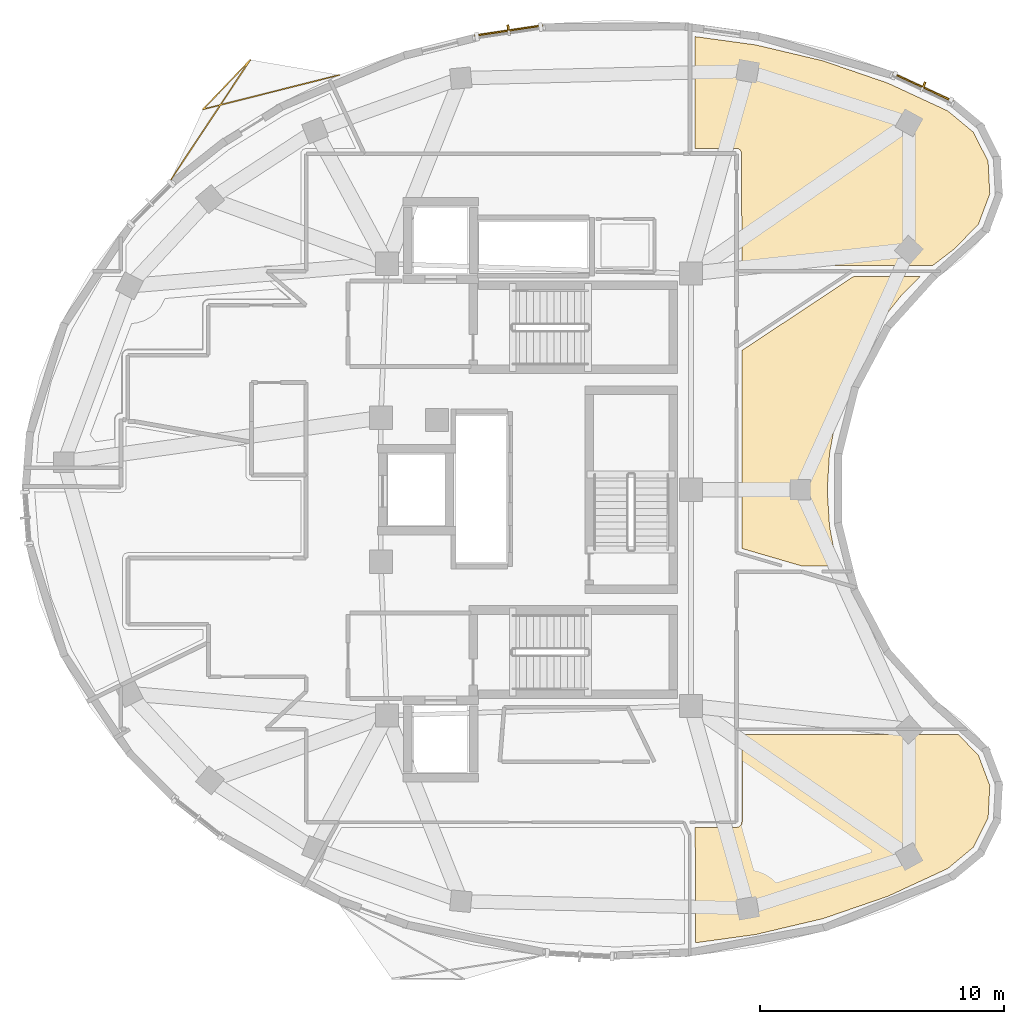
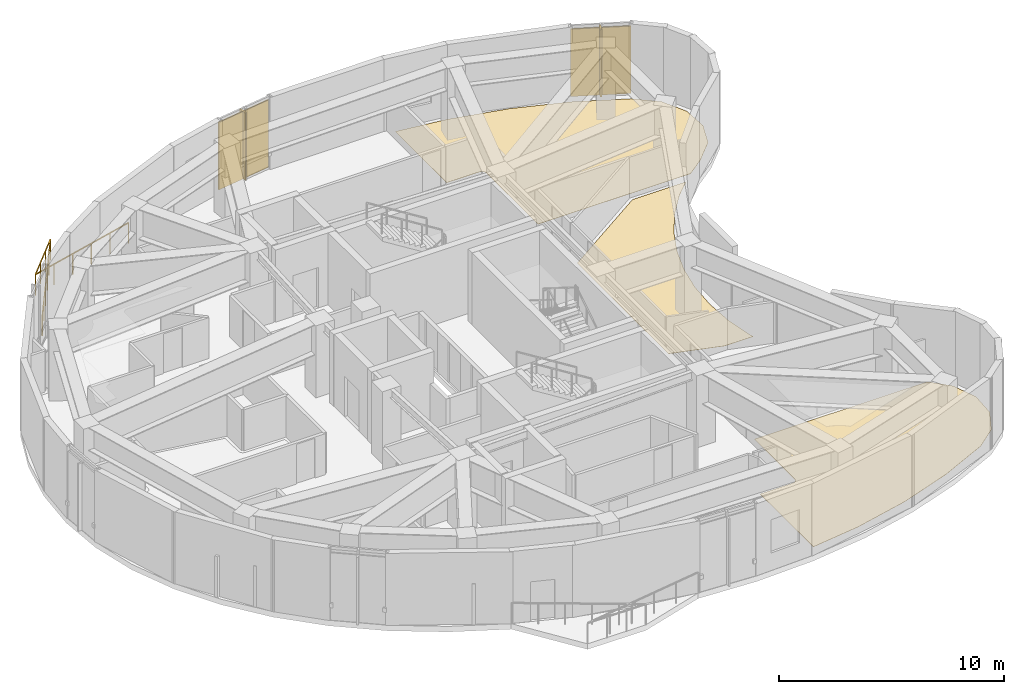
# One storey, part 12 of 12: 4 shading devices, 3 coverings, 1 railing.
"""IFC4 building model written with IfcOpenShell, lengths in metres."""

from ifc_helpers import new_model, si_unit, direction, frame, origin, origin_2d, place, context, subcontext, project, spatial, polyline, rectangle, outline, extrude, material, layer, layer_set, type_object, element, save


model = new_model("IFC4")

# Units and contexts
model_context = context("Model", 3, precision=1e-05, world=origin(), true_north=direction((0.0, 1.0)))
body_context = subcontext(model_context, "Body", "Model", "MODEL_VIEW")
ifc_project = project(units=[si_unit("LENGTHUNIT", "METRE"), si_unit("AREAUNIT", "SQUARE_METRE"), si_unit("VOLUMEUNIT", "CUBIC_METRE"), si_unit("PLANEANGLEUNIT", "RADIAN"), si_unit("MASSUNIT", "GRAM", prefix="KILO")], contexts=[model_context])

# Site, building, storey
site_placement = place(None, origin())
site = spatial("IfcSite", under=ifc_project, at=site_placement, CompositionType="ELEMENT")
building_placement = place(site_placement, origin())
building = spatial("IfcBuilding", under=site, at=building_placement, Name="Korentha Bioscience Tower", CompositionType="ELEMENT")
storey_placement = place(building_placement, frame((0.0, 0.0, 297.60009765625)))
storey = spatial("IfcBuildingStorey", under=building, at=storey_placement, Name="L68", CompositionType="ELEMENT", Elevation=297.60009765625)

# Railing
ifc_material_1 = material(Name="Laminated Tempered Safety Glass", Category="glass")
railing_type = type_object("IfcRailingType", Name="Laminated Glass Balcony Guardrail 1150", PredefinedType="BALUSTRADE", material=ifc_material_1)
railing_placement = place(storey_placement, frame((23.1484375, 43.982666015625, 0.0)))
element("IfcRailing", 1, at=railing_placement, inside=storey, type_object=railing_type, Name="L68 Balcony Guardrail 01", PredefinedType="BALUSTRADE", context=body_context, shape_type="SweptSolid", body=[
    extrude(rectangle(XDim=0.048095703125, YDim=0.048095703125, at=origin_2d()), frame((0.0, 0.0, 1.1259765625), z_axis=(-0.969661709433, -0.24445075017, 0.0), x_axis=(0.24445075017, -0.969661709433, 0.0)), (0.0, 0.0, 1.0), 5.757568359375),
    extrude(rectangle(XDim=0.048095703125, YDim=0.048095703125, at=origin_2d()), frame((-5.5830078125, -1.407470703125, 1.1259765625), z_axis=(0.690957838439, 0.722895058428, 0.0), x_axis=(-0.722895058428, 0.690957838439, 0.0)), (0.0, 0.0, 1.0), 2.805419921875),
    extrude(rectangle(XDim=0.048095703125, YDim=0.048095703125, at=origin_2d()), frame((-3.64453125, 0.62060546875, 1.1259765625), z_axis=(-0.552215179139, -0.833701622841, 0.0), x_axis=(0.833701622841, -0.552215179139, 0.0)), (0.0, 0.0, 1.0), 5.8779296875),
    extrude(rectangle(XDim=0.0419921875, YDim=0.0419921875, at=origin_2d()), origin(), (0.0, 0.0, 1.0), 1.101806640625),
    extrude(rectangle(XDim=0.0419921875, YDim=0.0419921875, at=origin_2d()), frame((-1.11669921875, -0.281494140625, 0.0)), (0.0, 0.0, 1.0), 1.101806640625),
    extrude(rectangle(XDim=0.0419921875, YDim=0.0419921875, at=origin_2d()), frame((-2.233154296875, -0.56298828125, 0.0)), (0.0, 0.0, 1.0), 1.101806640625),
    extrude(rectangle(XDim=0.0419921875, YDim=0.0419921875, at=origin_2d()), frame((-3.349853515625, -0.844482421875, 0.0)), (0.0, 0.0, 1.0), 1.101806640625),
    extrude(rectangle(XDim=0.0419921875, YDim=0.0419921875, at=origin_2d()), frame((-4.46630859375, -1.1259765625, 0.0)), (0.0, 0.0, 1.0), 1.101806640625),
    extrude(rectangle(XDim=0.0419921875, YDim=0.0419921875, at=origin_2d()), frame((-5.5830078125, -1.407470703125, 0.0)), (0.0, 0.0, 1.0), 1.101806640625),
    extrude(rectangle(XDim=0.0419921875, YDim=0.0419921875, at=origin_2d()), frame((-4.936767578125, -0.7314453125, 0.0)), (0.0, 0.0, 1.0), 1.101806640625),
    extrude(rectangle(XDim=0.0419921875, YDim=0.0419921875, at=origin_2d()), frame((-4.290771484375, -0.055419921875, 0.0)), (0.0, 0.0, 1.0), 1.101806640625),
    extrude(rectangle(XDim=0.0419921875, YDim=0.0419921875, at=origin_2d()), frame((-3.64453125, 0.62060546875, 0.0)), (0.0, 0.0, 1.0), 1.101806640625),
    extrude(rectangle(XDim=0.0419921875, YDim=0.0419921875, at=origin_2d()), frame((-4.293701171875, -0.359375, 0.0)), (0.0, 0.0, 1.0), 1.101806640625),
    extrude(rectangle(XDim=0.0419921875, YDim=0.0419921875, at=origin_2d()), frame((-4.94287109375, -1.339599609375, 0.0)), (0.0, 0.0, 1.0), 1.101806640625),
    extrude(rectangle(XDim=0.0419921875, YDim=0.0419921875, at=origin_2d()), frame((-5.592041015625, -2.319580078125, 0.0)), (0.0, 0.0, 1.0), 1.101806640625),
    extrude(rectangle(XDim=0.0419921875, YDim=0.0419921875, at=origin_2d()), frame((-6.2412109375, -3.2998046875, 0.0)), (0.0, 0.0, 1.0), 1.101806640625),
    extrude(rectangle(XDim=0.0419921875, YDim=0.0419921875, at=origin_2d()), frame((-6.890380859375, -4.27978515625, 0.0)), (0.0, 0.0, 1.0), 1.101806640625),
])

# Shading devices
ifc_material_2 = material(Name="Perforated Stone-Ceramic Composite", Category="masonry")
ifc_layer_1 = layer(ifc_material_2, 0.06494140625, Name="Perforated Stone-Ceramic Composite")
ifc_layer_set_1 = layer_set([ifc_layer_1], Name="Perforated Stone-Ceramic Composite (CS-01)")
shading_device_type_1 = type_object("IfcShadingDeviceType", Name="Perforated Stone-Ceramic Solar Screen Panel 65", PredefinedType="USERDEFINED", material=ifc_layer_set_1)
shading_device_1_placement = place(storey_placement, frame((47.04443359375, 43.478759765625, 0.0), z_axis=(0.0, 0.0, 1.0), x_axis=(-0.907204022278, 0.420690934016, 0.0)))
element("IfcShadingDevice", 2, at=shading_device_1_placement, inside=storey, type_object=shading_device_type_1, Name="CW-L68-01 Perforated Stone-Ceramic Solar Screen", ObjectType="SCREEN", PredefinedType="USERDEFINED", context=body_context, shape_type="SweptSolid", body=[
    extrude(rectangle(XDim=2.69287109375, YDim=0.06494140625, at=origin_2d()), origin(), (0.0, 0.0, 1.0), 3.64990234375),
])
shading_device_2_placement = place(storey_placement, frame((30.082275390625, 45.80126953125, 0.0), z_axis=(0.0, 0.0, 1.0), x_axis=(-0.98900659611, -0.147871406471, 0.0)))
element("IfcShadingDevice", 3, at=shading_device_2_placement, inside=storey, type_object=shading_device_type_1, Name="CW-L68-07 Perforated Stone-Ceramic Solar Screen", ObjectType="SCREEN", PredefinedType="USERDEFINED", context=body_context, shape_type="SweptSolid", body=[
    extrude(rectangle(XDim=2.822509765625, YDim=0.06494140625, at=origin_2d()), origin(), (0.0, 0.0, 1.0), 3.64990234375),
])

# Coverings
ifc_material_3 = material(Name="Chemical-Resistant Epoxy Resin", Category="polymer")
ifc_layer_2 = layer(ifc_material_3, 0.011962890625, Name="Chemical-Resistant Epoxy Resin")
ifc_layer_set_2 = layer_set([ifc_layer_2], Name="Chemical-Resistant Epoxy Resin (FL-EPX)")
covering_type = type_object("IfcCoveringType", Name="Seamless Epoxy Laboratory Flooring 12", PredefinedType="FLOORING", material=ifc_layer_set_2)
covering_1_placement = place(storey_placement, origin())
element("IfcCovering", 4, at=covering_1_placement, inside=storey, type_object=covering_type, Name="L68 Principal Investigator Office 05 Floor Finish", PredefinedType="FLOORING", context=body_context, shape_type="SweptSolid", body=[
    extrude(outline(polyline([(37.721923828125, 13.169921875), (39.411865234375, 13.17041015625), (39.518798828125, 13.202880859375), (39.607666015625, 13.30126953125), (39.6298828125, 13.39990234375), (39.6298828125, 16.97802734375), (48.49169921875, 16.97802734375), (49.316162109375, 16.1298828125), (49.783935546875, 14.884033203125), (49.71337890625, 13.554931640625), (49.1162109375, 12.365234375), (48.0615234375, 11.489013671875), (45.612060546875, 10.35302734375), (42.9658203125, 9.44189453125), (40.197509765625, 8.78662109375), (37.72802734375, 8.4482421875), (37.721923828125, 13.169921875)])), origin(), (0.0, 0.0, 1.0), 0.011962890625),
])
covering_2_placement = place(storey_placement, origin())
element("IfcCovering", 5, at=covering_2_placement, inside=storey, type_object=covering_type, Name="L68 Project Seminar and Review Room 07 Floor Finish", PredefinedType="FLOORING", context=body_context, shape_type="SweptSolid", body=[
    extrude(outline(polyline([(39.6298828125, 24.59521484375), (39.6298828125, 32.7001953125), (44.2041015625, 35.72802734375), (46.940185546875, 35.72802734375), (46.182861328125, 34.97998046875), (45.304931640625, 33.87646484375), (44.539794921875, 32.63427734375), (43.927490234375, 31.298583984375), (43.48876953125, 29.914306640625), (43.218994140625, 28.4736328125), (43.127685546875, 26.982421875), (43.218994140625, 25.5263671875), (43.476806640625, 24.133056640625), (43.555908203125, 23.8720703125), (42.084228515625, 23.877685546875), (39.6298828125, 24.59521484375)])), origin(), (0.0, 0.0, 1.0), 0.011962890625),
])
covering_3_placement = place(storey_placement, origin())
element("IfcCovering", 6, at=covering_3_placement, inside=storey, type_object=covering_type, Name="L68 Biosafety Equipment Store 09 Floor Finish", PredefinedType="FLOORING", context=body_context, shape_type="SweptSolid", body=[
    extrude(outline(polyline([(40.197265625, 45.213623046875), (42.9658203125, 44.55810546875), (45.61181640625, 43.64697265625), (48.061279296875, 42.510986328125), (49.115966796875, 41.634765625), (49.713134765625, 40.4453125), (49.783935546875, 39.1162109375), (49.31640625, 37.8701171875), (48.340087890625, 36.865966796875), (47.443603515625, 36.177978515625), (39.6298828125, 36.177978515625), (39.623291015625, 40.805419921875), (39.55419921875, 40.920654296875), (39.477783203125, 40.96630859375), (39.411865234375, 40.979736328125), (37.721923828125, 40.97998046875), (37.721923828125, 45.552490234375), (40.197265625, 45.213623046875)])), origin(), (0.0, 0.0, 1.0), 0.011962890625),
])

# Shading devices
ifc_material_4 = material(Name="Honed Travertine Limestone", Category="masonry")
ifc_layer_3 = layer(ifc_material_4, 0.080078125, Name="Honed Travertine Limestone")
ifc_layer_set_3 = layer_set([ifc_layer_3], Name="Honed Travertine Limestone (CS-02)")
shading_device_type_2 = type_object("IfcShadingDeviceType", Name="Vertical Honed Limestone Sunshade Fin 80x420", PredefinedType="USERDEFINED", material=ifc_layer_set_3)
for number, where, z_axis, x_axis, name in (
    (7, (47.052734375, 43.496826171875, 0.0), (0.0, 0.0, 1.0), (-0.907204022278, 0.420690934016, 0.0), "CW-L68-01 Limestone Sunshade Fin"),
    (8, (30.079345703125, 45.821044921875, 0.0), (0.0, 0.0, 1.0), (-0.98900659611, -0.147871406471, 0.0), "CW-L68-07 Limestone Sunshade Fin"),
):
    element("IfcShadingDevice", number, at=place(storey_placement, frame(where, z_axis=z_axis, x_axis=x_axis)), inside=storey, type_object=shading_device_type_2, Name=name, ObjectType="SCREEN", PredefinedType="USERDEFINED", context=body_context, shape_type="SweptSolid", body=[
        extrude(rectangle(XDim=0.080078125, YDim=0.419921875, at=origin_2d()), origin(), (0.0, 0.0, 1.0), 3.64990234375),
    ])

save(model, "model.ifc")
